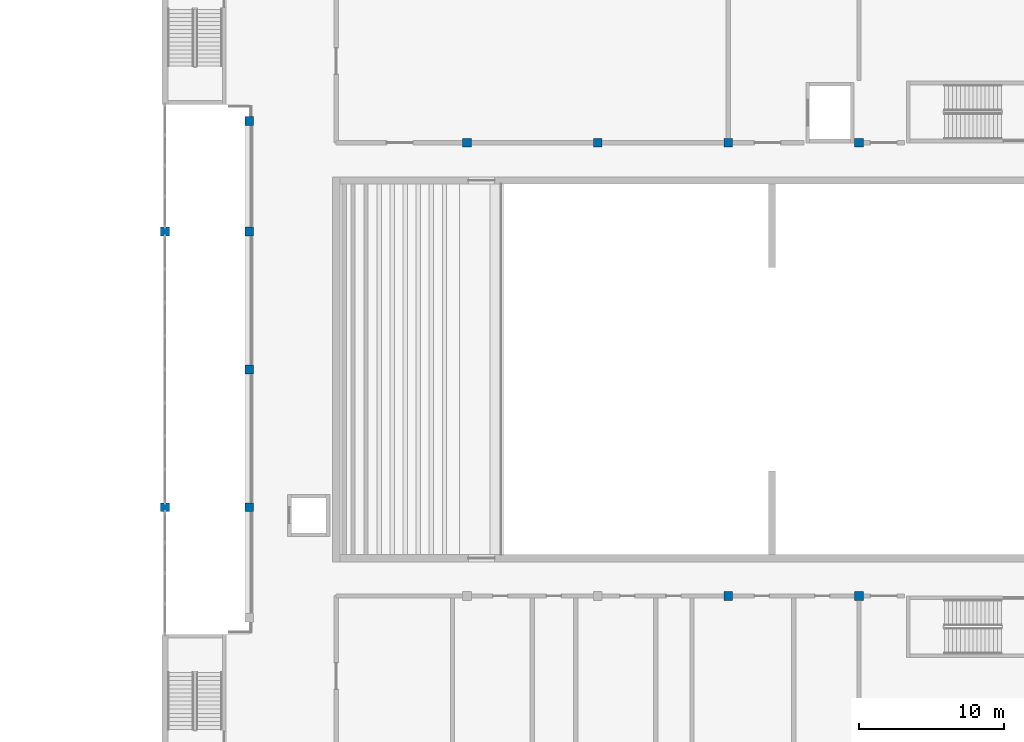
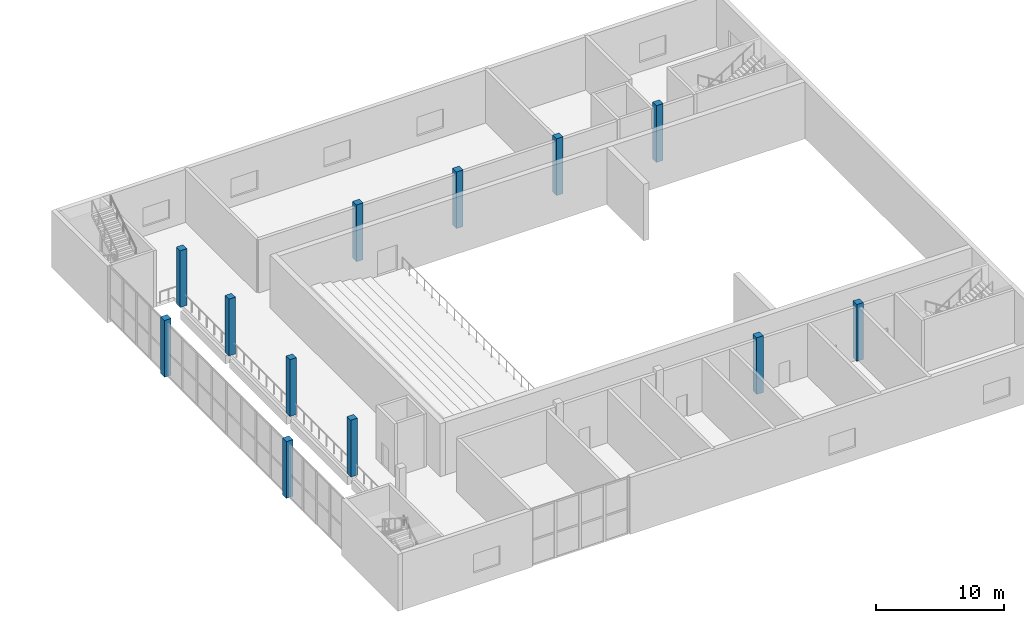
# One storey, part 2 of 43: 12 columns.
"""IFC4 building model written with IfcOpenShell, lengths in metres."""

from ifc_helpers import new_model, si_unit, direction, frame, origin, origin_2d, place, context, subcontext, project, spatial, rectangle, extrude, material, material_profile, profile_set, type_object, element, save


model = new_model("IFC4")

# Units and contexts
model_context = context("Model", 3, precision=1e-05, world=origin(), true_north=direction((0.0, 1.0)))
body_context = subcontext(model_context, "Body", "Model", "MODEL_VIEW")
ifc_project = project(units=[si_unit("LENGTHUNIT", "METRE"), si_unit("AREAUNIT", "SQUARE_METRE"), si_unit("VOLUMEUNIT", "CUBIC_METRE"), si_unit("PLANEANGLEUNIT", "RADIAN"), si_unit("MASSUNIT", "GRAM", prefix="KILO")], contexts=[model_context])

# Site, building, storey
site_placement = place(None, origin())
site = spatial("IfcSite", under=ifc_project, at=site_placement, CompositionType="ELEMENT")
building_placement = place(site_placement, origin())
building = spatial("IfcBuilding", under=site, at=building_placement, Name="Hunhe Ridgeline Campus", CompositionType="ELEMENT")
storey_placement = place(building_placement, frame((0.0, 0.0, 11.39990234375)))
storey = spatial("IfcBuildingStorey", under=building, at=storey_placement, Name="L02", CompositionType="ELEMENT", Elevation=11.39990234375)

# Columns
ifc_material = material(Name="Concrete C50", Category="concrete")
ifc_material_profile = material_profile(ifc_material, rectangle(XDim=0.60009765625, YDim=0.60009765625, at=origin_2d()))
ifc_profile_set = profile_set([ifc_material_profile], Name="Concrete C50")
column_type = type_object("IfcColumnType", Name="Hall RC column 600x600 C50", PredefinedType="COLUMN", material=ifc_profile_set)
for number, where, z_axis, x_axis, name in (
    (1, (171.0, 65.10009765625, 0.0), (0.0, 0.0, 1.0), (1.0, 0.0, 0.0), "Hall column HC-N1"),
    (2, (180.0, 65.10009765625, 0.0), (0.0, 0.0, 1.0), (1.0, 0.0, 0.0), "Hall column HC-N2"),
    (3, (189.0, 33.89990234375, 0.0), (0.0, 0.0, 1.0), (1.0, 0.0, 0.0), "Hall column HC-S3"),
    (4, (189.0, 65.10009765625, 0.0), (0.0, 0.0, 1.0), (1.0, 0.0, 0.0), "Hall column HC-N3"),
    (5, (198.0, 33.89990234375, 0.0), (0.0, 0.0, 1.0), (1.0, 0.0, 0.0), "Hall column HC-S4"),
    (6, (198.0, 65.10009765625, 0.0), (0.0, 0.0, 1.0), (1.0, 0.0, 0.0), "Hall column HC-N4"),
    (7, (156.0, 40.0, 0.0), (0.0, 0.0, 1.0), (1.0, 0.0, 0.0), "Hall column HC-G2"),
    (8, (156.0, 49.5, 0.0), (0.0, 0.0, 1.0), (1.0, 0.0, 0.0), "Hall column HC-G3"),
    (9, (156.0, 59.0, 0.0), (0.0, 0.0, 1.0), (1.0, 0.0, 0.0), "Hall column HC-G4"),
    (10, (156.0, 66.60009765625, 0.0), (0.0, 0.0, 1.0), (1.0, 0.0, 0.0), "Hall column HC-G5"),
    (11, (150.199951171875, 40.0, 0.0), (0.0, 0.0, 1.0), (1.0, 0.0, 0.0), "Hall column HC-W1"),
    (12, (150.199951171875, 59.0, 0.0), (0.0, 0.0, 1.0), (1.0, 0.0, 0.0), "Hall column HC-W2"),
):
    element("IfcColumn", number, at=place(storey_placement, frame(where, z_axis=z_axis, x_axis=x_axis)), inside=storey, type_object=column_type, Name=name, PredefinedType="COLUMN", context=body_context, shape_type="SweptSolid", body=[
        extrude(rectangle(XDim=0.60009765625, YDim=0.60009765625, at=origin_2d()), origin(), (0.0, 0.0, 1.0), 5.400146484375),
    ])

save(model, "model.ifc")
